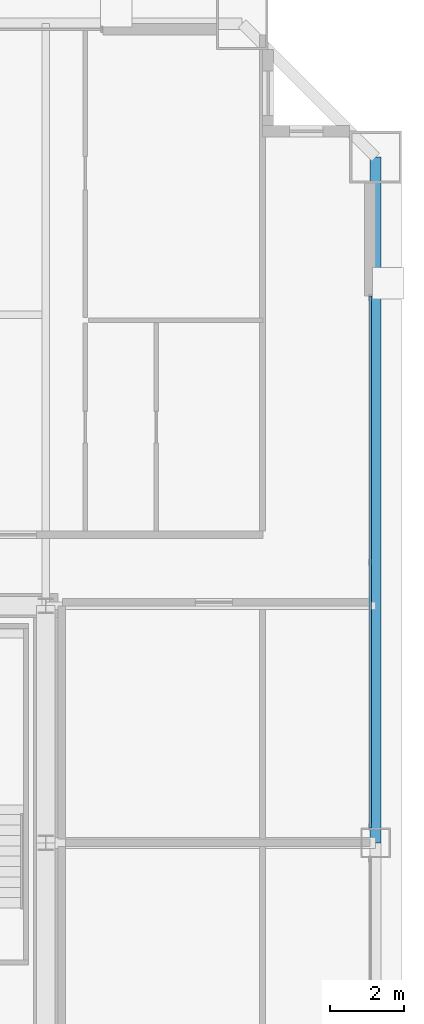
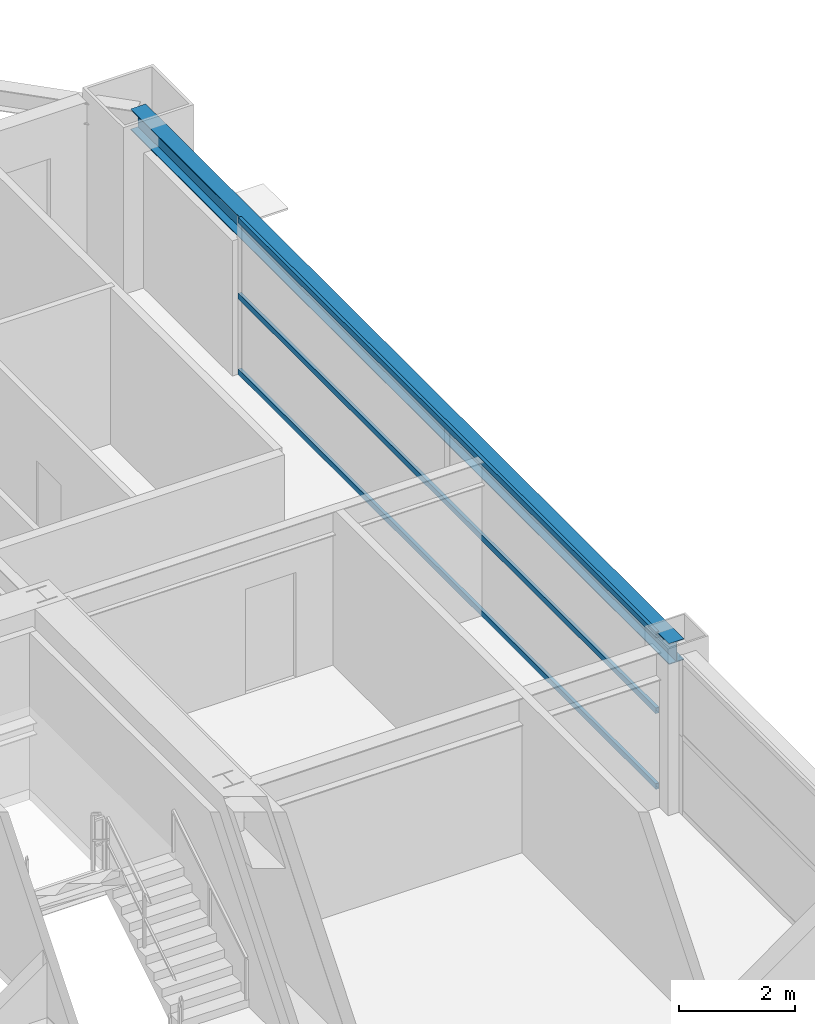
# One storey, part 22 of 38: 3 members, 1 beam, 1 element without a shape of its own.
"""IFC4 building model written with IfcOpenShell, lengths in metres."""

from ifc_helpers import new_model, si_unit, direction, frame, origin, origin_2d, place, context, subcontext, project, spatial, hollow_rectangle, i_section, extrude, source, transform, mapped, material, layer, layer_set, material_profile, profile_set, type_object, element, aggregate, save


model = new_model("IFC4")

# Units and contexts
model_context = context("Model", 3, precision=1e-05, world=origin(), true_north=direction((0.0, 1.0)))
body_context = subcontext(model_context, "Body", "Model", "MODEL_VIEW")
ifc_project = project(units=[si_unit("LENGTHUNIT", "METRE"), si_unit("AREAUNIT", "SQUARE_METRE"), si_unit("VOLUMEUNIT", "CUBIC_METRE"), si_unit("PLANEANGLEUNIT", "RADIAN"), si_unit("MASSUNIT", "GRAM", prefix="KILO"), si_unit("THERMODYNAMICTEMPERATUREUNIT", "KELVIN"), si_unit("POWERUNIT", "WATT")], contexts=[model_context])

# Site, building, storey
site_placement = place(None, origin())
site = spatial("IfcSite", under=ifc_project, at=site_placement, CompositionType="ELEMENT")
building_placement = place(site_placement, origin())
building = spatial("IfcBuilding", under=site, at=building_placement, Name="Yuzanri Waterfront Tower", CompositionType="ELEMENT")
storey_placement = place(building_placement, frame((0.0, 0.0, 202.0)))
storey = spatial("IfcBuildingStorey", under=building, at=storey_placement, Name="L53", CompositionType="ELEMENT", Elevation=202.0)

# Beam
ifc_material_1 = material(Name="Steel Q355B", Category="steel")
ifc_material_profile_1 = material_profile(ifc_material_1, i_section(OverallWidth=0.300048828125, OverallDepth=0.43994140625, WebThickness=0.010986328125, FlangeThickness=0.01806640625, at=origin_2d()), Name="HM 440x300x11x18")
ifc_profile_set_1 = profile_set([ifc_material_profile_1], Name="Steel Q355B")
beam_type = type_object("IfcBeamType", Name="Perimeter Spandrel Q355B HM 440x300", PredefinedType="SPANDREL", material=ifc_profile_set_1)
shared_shape_1 = source(origin(), body_context, "Body", "SweptSolid", [
    extrude(i_section(OverallWidth=0.300048828125, OverallDepth=0.43994140625, WebThickness=0.010986328125, FlangeThickness=0.01806640625, at=origin_2d()), origin(), (0.0, 0.0, 1.0), 18.5),
])
beam_placement = place(storey_placement, frame((59.10009765625, 25.800048828125, 3.06005859375), z_axis=(0.0, 1.0, 0.0), x_axis=(-1.0, 0.0, 0.0)))
element("IfcBeam", 1, at=beam_placement, inside=storey, type_object=beam_type, Name="L53 Perimeter Spandrel E2-E3", PredefinedType="SPANDREL", context=body_context, shape_type="MappedRepresentation", body=[
    mapped(shared_shape_1, transform((0.0, 0.0, 0.0), scale=1.0)),
])

# Curtain wall, members
ifc_material_2 = material(Name="Anodized Architectural Bronze", Category="metal")
ifc_layer = layer(ifc_material_2, 0.159912109375)
ifc_layer_set = layer_set([ifc_layer], Name="Anodized Architectural Bronze")
curtain_wall_type = type_object("IfcCurtainWallType", Name="Anodized Bronze Mid-Rise Residential Acoustic Unitized Curtain Wall 7200", PredefinedType="NOTDEFINED", material=ifc_layer_set)
curtain_wall_placement = place(storey_placement, origin())
curtain_wall = element("IfcCurtainWall", 2, at=curtain_wall_placement, inside=storey, type_object=curtain_wall_type, Name="L53 Curtain Wall CW-L53-ER", PredefinedType="NOTDEFINED")
ifc_material_3 = material(Name="Anodized Architectural Bronze", Category="metal")
ifc_material_profile_2 = material_profile(ifc_material_3, hollow_rectangle(XDim=0.06494140625, YDim=0.1201171875, WallThickness=0.00341796875, at=origin_2d()), Name="CWT 65x120")
ifc_profile_set_2 = profile_set([ifc_material_profile_2], Name="Anodized Architectural Bronze")
member_type = type_object("IfcMemberType", Name="Anodized Bronze Secondary Curtain-Wall Transom 65x120", PredefinedType="USERDEFINED", material=ifc_profile_set_2)
shared_shape_2 = source(origin(), body_context, "Body", "SweptSolid", [
    extrude(hollow_rectangle(XDim=0.06494140625, YDim=0.1201171875, WallThickness=0.00341796875, at=origin_2d()), origin(), (0.0, 0.0, 1.0), 14.35009765625),
])
member_1_placement = place(storey_placement, frame((58.949951171875, 26.199951171875, 0.050048828125), z_axis=(0.0, 1.0, 0.0), x_axis=(-1.0, 0.0, 0.0)))
member_1 = element("IfcMember", 3, at=member_1_placement, type_object=member_type, Name="CW-L53-ER Transom 1", ObjectType="TRANSOM", PredefinedType="USERDEFINED", context=body_context, shape_type="MappedRepresentation", body=[
    mapped(shared_shape_2, transform((0.0, 0.0, 0.0), scale=1.0)),
])
member_2_placement = place(storey_placement, frame((58.949951171875, 26.199951171875, 1.639892578125), z_axis=(0.0, 1.0, 0.0), x_axis=(-1.0, 0.0, 0.0)))
member_2 = element("IfcMember", 4, at=member_2_placement, type_object=member_type, Name="CW-L53-ER Transom 2", ObjectType="TRANSOM", PredefinedType="USERDEFINED", context=body_context, shape_type="MappedRepresentation", body=[
    mapped(shared_shape_2, transform((0.0, 0.0, 0.0), scale=1.0)),
])
member_3_placement = place(storey_placement, frame((58.949951171875, 26.199951171875, 3.22998046875), z_axis=(0.0, 1.0, 0.0), x_axis=(-1.0, 0.0, 0.0)))
member_3 = element("IfcMember", 5, at=member_3_placement, type_object=member_type, Name="CW-L53-ER Transom 3", ObjectType="TRANSOM", PredefinedType="USERDEFINED", context=body_context, shape_type="MappedRepresentation", body=[
    mapped(shared_shape_2, transform((0.0, 0.0, 0.0), scale=1.0)),
])
aggregate(curtain_wall, [member_1, member_2, member_3])

save(model, "model.ifc")
